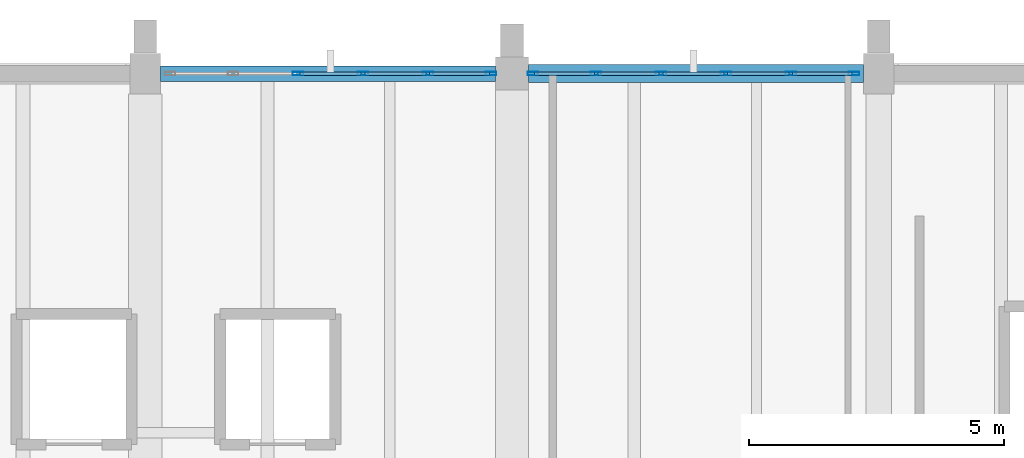
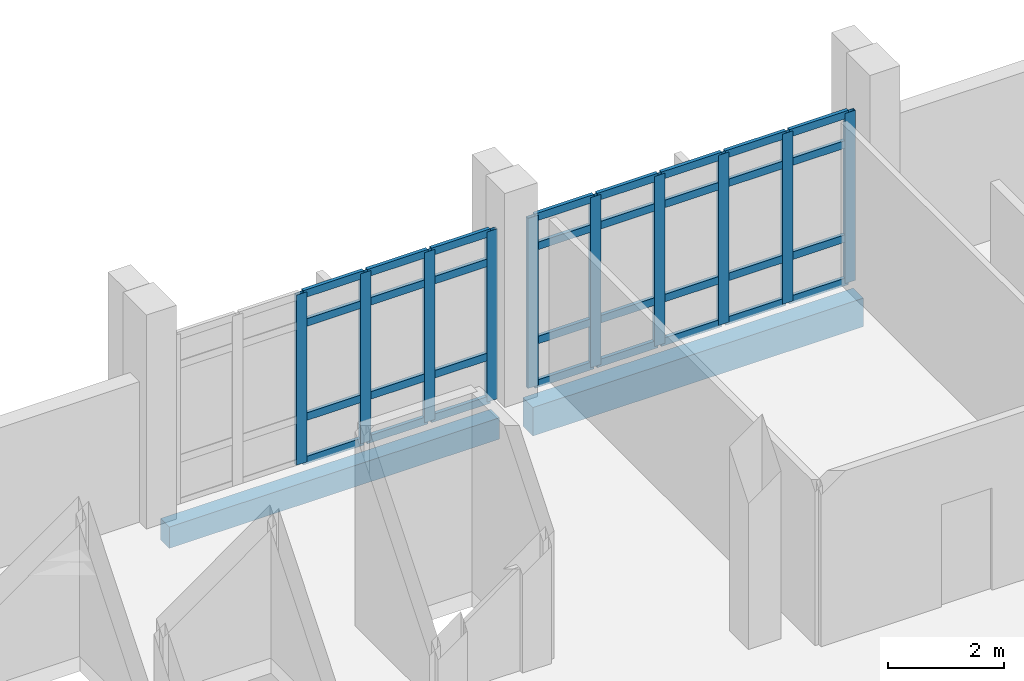
# One storey, part 30 of 57: 42 members, 2 beams, 2 elements without a shape of their own.
"""IFC4 building model written with IfcOpenShell, lengths in metres."""

import ifcopenshell
import ifcopenshell.guid

model = None  # the IFC model being written
_history = None  # IfcOwnerHistory: only IFC2X3 demands one
_inside = {}  # id of a spatial element -> (the spatial element, [elements in it])
_under = {}  # id of a project, library or spatial element -> (it, [spatial elements below it])
_declared = {}  # id of a project -> (the project, [libraries it declares])
_typed = {}  # id of a type object -> (the type object, [elements of that type])
_made_of = {}  # id of a material, layer set ... -> (it, [elements and type objects made of it])


def new_model(schema):
    """Start an empty IFC model of exactly this schema.

    Asked for "IFC4X3", IfcOpenShell would pick the latest addendum, in which some entities
    have other attributes; the version numbers below select the first issue.
    IFC2X3 requires an IfcOwnerHistory on every rooted entity: one is made here for all.
    """
    global model, _history
    if schema == "IFC4X3":
        model = ifcopenshell.file(schema_version=(4, 3, 0, 0))
    else:
        model = ifcopenshell.file(schema=schema)
    _inside.clear()
    _under.clear()
    _declared.clear()
    _typed.clear()
    _made_of.clear()
    _history = None
    if model.schema == "IFC2X3":
        org = make("IfcOrganization", Name="unknown")
        user = make(
            "IfcPersonAndOrganization",
            ThePerson=make("IfcPerson", FamilyName="unknown"),
            TheOrganization=org,
        )
        app = make(
            "IfcApplication",
            ApplicationDeveloper=org,
            Version="unknown",
            ApplicationFullName="unknown",
            ApplicationIdentifier="unknown",
        )
        _history = make(
            "IfcOwnerHistory",
            OwningUser=user,
            OwningApplication=app,
            ChangeAction="ADDED",
            CreationDate=0,
        )
    return model


def make(cls, **values):
    """One entity of the class cls with the attributes given. An attribute that is None is left unset."""
    return model.create_entity(
        cls, **{name: value for name, value in values.items() if value is not None}
    )


def rooted(cls, **values):
    """An entity with a GlobalId (a new one), such as an element, a storey or a relation."""
    return make(cls, GlobalId=ifcopenshell.guid.new(), OwnerHistory=_history, **values)


def si_unit(unit_type, name, prefix=None):
    """IfcSIUnit, for example si_unit("LENGTHUNIT", "METRE", prefix="MILLI")."""
    return make("IfcSIUnit", UnitType=unit_type, Prefix=prefix, Name=name)


def assignment(units):
    """IfcUnitAssignment: the units of a project."""
    return None if units is None else make("IfcUnitAssignment", Units=units)


def point(xyz):
    """IfcCartesianPoint."""
    return None if xyz is None else make("IfcCartesianPoint", Coordinates=xyz)


def direction(xyz):
    """IfcDirection."""
    return None if xyz is None else make("IfcDirection", DirectionRatios=xyz)


def frame(location, z_axis=None, x_axis=None):
    """IfcAxis2Placement3D, a coordinate frame: its origin and axes. An axis left out is left unset."""
    return make(
        "IfcAxis2Placement3D",
        Location=point(location),
        Axis=direction(z_axis),
        RefDirection=direction(x_axis),
    )


def frame_2d(location, x_axis=None):
    """IfcAxis2Placement2D, a coordinate frame in the plane: its origin and x axis."""
    return make(
        "IfcAxis2Placement2D", Location=point(location), RefDirection=direction(x_axis)
    )


def origin():
    """The frame at (0, 0, 0) with its axes left unset."""
    return frame((0.0, 0.0, 0.0))


def origin_2d():
    """The frame at (0, 0) in the plane with its x axis left unset."""
    return frame_2d((0.0, 0.0))


def place(relative_to, where):
    """IfcLocalPlacement: puts the frame where relative to a parent placement (None: the world)."""
    return make(
        "IfcLocalPlacement", PlacementRelTo=relative_to, RelativePlacement=where
    )


def context(
    kind, dimensions, precision=None, world=None, true_north=None, identifier=None
):
    """IfcGeometricRepresentationContext, for example the 3D "Model" context."""
    return make(
        "IfcGeometricRepresentationContext",
        ContextIdentifier=identifier,
        ContextType=kind,
        CoordinateSpaceDimension=dimensions,
        Precision=precision,
        WorldCoordinateSystem=world,
        TrueNorth=true_north,
    )


def subcontext(parent, identifier, kind, view, scale=None):
    """IfcGeometricRepresentationSubContext, for example "Body" below "Model"."""
    return make(
        "IfcGeometricRepresentationSubContext",
        ContextIdentifier=identifier,
        ContextType=kind,
        ParentContext=parent,
        TargetScale=scale,
        TargetView=view,
    )


def project(units=None, contexts=None):
    """IfcProject with its units and contexts."""
    return rooted(
        "IfcProject",
        Name="project",
        RepresentationContexts=contexts,
        UnitsInContext=assignment(units),
    )


def spatial(cls, under=None, at=None, **own):
    """A site, building, storey or space (cls), placed at a placement, below another one or the project."""
    s = rooted(cls, ObjectPlacement=at, **own)
    if under is not None:
        _under.setdefault(under.id(), (under, []))[1].append(s)
    return s


def profile(cls, at=None, kind="AREA", **sizes):
    """A parametric profile (cls). Its sizes go by their IFC names, for example OverallWidth=200.0."""
    return make(cls, ProfileType=kind, Position=at, **sizes)


def rectangle(**sizes):
    """IfcRectangleProfileDef."""
    return profile("IfcRectangleProfileDef", **sizes)


def hollow_rectangle(**sizes):
    """IfcRectangleHollowProfileDef."""
    return profile("IfcRectangleHollowProfileDef", **sizes)


def extrude(swept, where, along, depth):
    """IfcExtrudedAreaSolid: the profile swept, set in the frame where, extruded along a direction by depth."""
    return make(
        "IfcExtrudedAreaSolid",
        SweptArea=swept,
        Position=where,
        ExtrudedDirection=direction(along),
        Depth=depth,
    )


def shape(context_of_items, identifier, shape_type, items):
    """IfcShapeRepresentation: the items that make up one representation, for example the "Body"."""
    return make(
        "IfcShapeRepresentation",
        ContextOfItems=context_of_items,
        RepresentationIdentifier=identifier,
        RepresentationType=shape_type,
        Items=items,
    )


def material(Name=None, Category=None):
    """IfcMaterial."""
    return make("IfcMaterial", Name=Name, Category=Category)


def material_profile(
    of_material, cross_section, Name=None, Category=None, Priority=None
):
    """IfcMaterialProfile: a cross section and its material."""
    return make(
        "IfcMaterialProfile",
        Name=Name,
        Material=of_material,
        Profile=cross_section,
        Priority=Priority,
        Category=Category,
    )


def profile_set(profiles, Name=None, composite=None):
    """IfcMaterialProfileSet."""
    return make(
        "IfcMaterialProfileSet",
        Name=Name,
        MaterialProfiles=profiles,
        CompositeProfile=composite,
    )


def made_of(thing, what):
    """Note that an element or type object is made of a material, layer set ...; save() writes the relation."""
    if what is not None:
        _made_of.setdefault(what.id(), (what, []))[1].append(thing)
    return thing


def type_object(cls, material=None, **own):
    """A type object (cls), such as IfcWallType, which elements share."""
    return made_of(rooted(cls, **own), material)


def element(
    cls,
    number,
    at=None,
    inside=None,
    cuts=None,
    type_object=None,
    material=None,
    context=None,
    identifier="Body",
    shape_type=None,
    held_by="IfcProductDefinitionShape",
    body=None,
    shapes=None,
    **own,
):
    """One element of the class cls, such as IfcWall. Its Tag is "e" and its number.

    at: its placement. inside: the storey or other place that contains it. cuts: it is an
    opening in that element (IfcRelVoidsElement). A single representation is given by context,
    identifier, shape_type and body (its items); several are given by shapes. held_by: the class
    of the entity that holds the representations. save() writes the other relations.
    """
    e = rooted(cls, Tag="e%d" % number, ObjectPlacement=at, **own)
    if body is not None:
        shapes = [shape(context, identifier, shape_type, body)]
    if shapes is not None:
        e.Representation = make(held_by, Representations=shapes)
    if inside is not None:
        _inside.setdefault(inside.id(), (inside, []))[1].append(e)
    if cuts is not None:
        rooted(
            "IfcRelVoidsElement", RelatingBuildingElement=cuts, RelatedOpeningElement=e
        )
    if type_object is not None:
        _typed.setdefault(type_object.id(), (type_object, []))[1].append(e)
    return made_of(e, material)


def aggregate(whole, parts):
    """IfcRelAggregates: a whole, such as a stair, and the parts it consists of."""
    return rooted("IfcRelAggregates", RelatingObject=whole, RelatedObjects=parts)


def save(model, path):
    """Write the relations noted so far, then the file.

    IfcRelAggregates (storeys below a building ...), IfcRelContainedInSpatialStructure (elements
    in a storey), IfcRelDefinesByType, IfcRelAssociatesMaterial and IfcRelDeclares: one each for
    every whole, place, type object, material and project.
    """
    for whole, parts in _under.values():
        aggregate(whole, parts)
    for where, things in _inside.values():
        rooted(
            "IfcRelContainedInSpatialStructure",
            RelatedElements=things,
            RelatingStructure=where,
        )
    for kind, things in _typed.values():
        rooted("IfcRelDefinesByType", RelatedObjects=things, RelatingType=kind)
    for what, things in _made_of.values():
        rooted("IfcRelAssociatesMaterial", RelatedObjects=things, RelatingMaterial=what)
    for by, libraries in _declared.values():
        rooted("IfcRelDeclares", RelatingContext=by, RelatedDefinitions=libraries)
    model.write(path)


model = new_model("IFC4")

# Units and contexts
model_context = context("Model", 3, precision=1e-05, world=origin(), true_north=direction((0.0, 1.0)))
body_context = subcontext(model_context, "Body", "Model", "MODEL_VIEW")
ifc_project = project(units=[si_unit("LENGTHUNIT", "METRE"), si_unit("AREAUNIT", "SQUARE_METRE"), si_unit("VOLUMEUNIT", "CUBIC_METRE"), si_unit("PLANEANGLEUNIT", "RADIAN"), si_unit("MASSUNIT", "GRAM", prefix="KILO")], contexts=[model_context])

# Site, building, storey
site_placement = place(None, origin())
site = spatial("IfcSite", under=ifc_project, at=site_placement, CompositionType="ELEMENT")
building_placement = place(site_placement, origin())
building = spatial("IfcBuilding", under=site, at=building_placement, Name="Kalluvel Institute of Natural Sciences", CompositionType="ELEMENT")
storey_placement = place(building_placement, frame((0.0, 0.0, 23.39990234375)))
storey = spatial("IfcBuildingStorey", under=building, at=storey_placement, Name="L05", CompositionType="ELEMENT", Elevation=23.39990234375)

# Curtain wall, members
ifc_material_1 = material(Name="Aluminium AW-6063 T6", Category="aluminium")
curtain_wall_type = type_object("IfcCurtainWallType", Name="CW-WET-45", PredefinedType="USERDEFINED", material=ifc_material_1)
curtain_wall_1_placement = place(storey_placement, origin())
curtain_wall_1 = element("IfcCurtainWall", 1, at=curtain_wall_1_placement, inside=storey, type_object=curtain_wall_type, Name="L05 Gothic lancet curtain wall CWA-L05-X432-Y1280", ObjectType="UNITISED LANCET FACADE", PredefinedType="USERDEFINED")
ifc_material_profile_1 = material_profile(ifc_material_1, hollow_rectangle(XDim=0.070068359375, YDim=0.2099609375, WallThickness=0.0048828125, at=origin_2d()), Name="CWM 70x210")
ifc_profile_set_1 = profile_set([ifc_material_profile_1], Name="Aluminium AW-6063 T6")
member_type_1 = type_object("IfcMemberType", Name="CWM-70x210", PredefinedType="MULLION", material=ifc_profile_set_1)
member_1_placement = place(storey_placement, frame((45.800048828125, 128.0, 0.0), z_axis=(0.0, 0.0, 1.0), x_axis=(0.0, 1.0, 0.0)))
member_1 = element("IfcMember", 2, at=member_1_placement, type_object=member_type_1, Name="CW-01 mullion 3", PredefinedType="MULLION", context=body_context, shape_type="SweptSolid", body=[
    extrude(hollow_rectangle(XDim=0.070068359375, YDim=0.2099609375, WallThickness=0.0048828125, at=origin_2d()), origin(), (0.0, 0.0, 1.0), 3.580078125),
])
member_2_placement = place(storey_placement, frame((47.074951171875, 128.0, 0.0), z_axis=(0.0, 0.0, 1.0), x_axis=(0.0, 1.0, 0.0)))
member_2 = element("IfcMember", 3, at=member_2_placement, type_object=member_type_1, Name="CW-01 mullion 4", PredefinedType="MULLION", context=body_context, shape_type="SweptSolid", body=[
    extrude(hollow_rectangle(XDim=0.070068359375, YDim=0.2099609375, WallThickness=0.0048828125, at=origin_2d()), origin(), (0.0, 0.0, 1.0), 3.580078125),
])
member_3_placement = place(storey_placement, frame((48.35009765625, 128.0, 0.0), z_axis=(0.0, 0.0, 1.0), x_axis=(0.0, 1.0, 0.0)))
member_3 = element("IfcMember", 4, at=member_3_placement, type_object=member_type_1, Name="CW-01 mullion 5", PredefinedType="MULLION", context=body_context, shape_type="SweptSolid", body=[
    extrude(hollow_rectangle(XDim=0.070068359375, YDim=0.2099609375, WallThickness=0.0048828125, at=origin_2d()), origin(), (0.0, 0.0, 1.0), 3.580078125),
])
member_4_placement = place(storey_placement, frame((49.590087890625, 128.0, 0.0), z_axis=(0.0, 0.0, 1.0), x_axis=(0.0, 1.0, 0.0)))
member_4 = element("IfcMember", 5, at=member_4_placement, type_object=member_type_1, Name="CW-01 mullion 6", PredefinedType="MULLION", context=body_context, shape_type="SweptSolid", body=[
    extrude(hollow_rectangle(XDim=0.070068359375, YDim=0.2099609375, WallThickness=0.0048828125, at=origin_2d()), origin(), (0.0, 0.0, 1.0), 3.580078125),
])

curtain_wall_2_placement = place(storey_placement, origin())
curtain_wall_2 = element("IfcCurtainWall", 6, at=curtain_wall_2_placement, inside=storey, type_object=curtain_wall_type, Name="L05 Gothic lancet curtain wall CWA-L05-X504-Y1280", ObjectType="UNITISED LANCET FACADE", PredefinedType="USERDEFINED")
member_5_placement = place(storey_placement, frame((50.409912109375, 128.0, 0.0), z_axis=(0.0, 0.0, 1.0), x_axis=(0.0, 1.0, 0.0)))
member_5 = element("IfcMember", 7, at=member_5_placement, type_object=member_type_1, Name="CW-01 mullion 1", PredefinedType="MULLION", context=body_context, shape_type="SweptSolid", body=[
    extrude(hollow_rectangle(XDim=0.070068359375, YDim=0.2099609375, WallThickness=0.0048828125, at=origin_2d()), origin(), (0.0, 0.0, 1.0), 3.580078125),
])
member_6_placement = place(storey_placement, frame((51.64990234375, 128.0, 0.0), z_axis=(0.0, 0.0, 1.0), x_axis=(0.0, 1.0, 0.0)))
member_6 = element("IfcMember", 8, at=member_6_placement, type_object=member_type_1, Name="CW-01 mullion 2", PredefinedType="MULLION", context=body_context, shape_type="SweptSolid", body=[
    extrude(hollow_rectangle(XDim=0.070068359375, YDim=0.2099609375, WallThickness=0.0048828125, at=origin_2d()), origin(), (0.0, 0.0, 1.0), 3.580078125),
])
member_7_placement = place(storey_placement, frame((52.925048828125, 128.0, 0.0), z_axis=(0.0, 0.0, 1.0), x_axis=(0.0, 1.0, 0.0)))
member_7 = element("IfcMember", 9, at=member_7_placement, type_object=member_type_1, Name="CW-01 mullion 3", PredefinedType="MULLION", context=body_context, shape_type="SweptSolid", body=[
    extrude(hollow_rectangle(XDim=0.070068359375, YDim=0.2099609375, WallThickness=0.0048828125, at=origin_2d()), origin(), (0.0, 0.0, 1.0), 3.580078125),
])
member_8_placement = place(storey_placement, frame((54.199951171875, 128.0, 0.0), z_axis=(0.0, 0.0, 1.0), x_axis=(0.0, 1.0, 0.0)))
member_8 = element("IfcMember", 10, at=member_8_placement, type_object=member_type_1, Name="CW-01 mullion 4", PredefinedType="MULLION", context=body_context, shape_type="SweptSolid", body=[
    extrude(hollow_rectangle(XDim=0.070068359375, YDim=0.2099609375, WallThickness=0.0048828125, at=origin_2d()), origin(), (0.0, 0.0, 1.0), 3.580078125),
])
member_9_placement = place(storey_placement, frame((55.47509765625, 128.0, 0.0), z_axis=(0.0, 0.0, 1.0), x_axis=(0.0, 1.0, 0.0)))
member_9 = element("IfcMember", 11, at=member_9_placement, type_object=member_type_1, Name="CW-01 mullion 5", PredefinedType="MULLION", context=body_context, shape_type="SweptSolid", body=[
    extrude(hollow_rectangle(XDim=0.070068359375, YDim=0.2099609375, WallThickness=0.0048828125, at=origin_2d()), origin(), (0.0, 0.0, 1.0), 3.580078125),
])
member_10_placement = place(storey_placement, frame((56.715087890625, 128.0, 0.0), z_axis=(0.0, 0.0, 1.0), x_axis=(0.0, 1.0, 0.0)))
member_10 = element("IfcMember", 12, at=member_10_placement, type_object=member_type_1, Name="CW-01 mullion 6", PredefinedType="MULLION", context=body_context, shape_type="SweptSolid", body=[
    extrude(hollow_rectangle(XDim=0.070068359375, YDim=0.2099609375, WallThickness=0.0048828125, at=origin_2d()), origin(), (0.0, 0.0, 1.0), 3.580078125),
])

# Member
ifc_material_profile_2 = material_profile(ifc_material_1, hollow_rectangle(XDim=0.070068359375, YDim=0.159912109375, WallThickness=0.0048828125, at=origin_2d()), Name="CWT 70x160")
ifc_profile_set_2 = profile_set([ifc_material_profile_2], Name="Aluminium AW-6063 T6")
member_type_2 = type_object("IfcMemberType", Name="CWT-70x160", PredefinedType="USERDEFINED", material=ifc_profile_set_2)
member_11_placement = place(storey_placement, frame((45.8349609375, 128.0, 0.03515625), z_axis=(1.0, 0.0, 0.0), x_axis=(0.0, 1.0, 0.0)))
member_11 = element("IfcMember", 13, at=member_11_placement, type_object=member_type_2, Name="CW-01 transom 3.1", ObjectType="TRANSOM", PredefinedType="USERDEFINED", context=body_context, shape_type="SweptSolid", body=[
    extrude(hollow_rectangle(XDim=0.070068359375, YDim=0.159912109375, WallThickness=0.0048828125, at=origin_2d()), origin(), (0.0, 0.0, 1.0), 1.205078125),
])

member_12_placement = place(storey_placement, frame((45.8349609375, 128.0, 0.9501953125), z_axis=(1.0, 0.0, 0.0), x_axis=(0.0, 1.0, 0.0)))
member_12 = element("IfcMember", 14, at=member_12_placement, type_object=member_type_2, Name="CW-01 transom 3.2", ObjectType="TRANSOM", PredefinedType="USERDEFINED", context=body_context, shape_type="SweptSolid", body=[
    extrude(hollow_rectangle(XDim=0.070068359375, YDim=0.159912109375, WallThickness=0.0048828125, at=origin_2d()), origin(), (0.0, 0.0, 1.0), 1.205078125),
])

member_13_placement = place(storey_placement, frame((45.8349609375, 128.0, 2.93017578125), z_axis=(1.0, 0.0, 0.0), x_axis=(0.0, 1.0, 0.0)))
member_13 = element("IfcMember", 15, at=member_13_placement, type_object=member_type_2, Name="CW-01 transom 3.3", ObjectType="TRANSOM", PredefinedType="USERDEFINED", context=body_context, shape_type="SweptSolid", body=[
    extrude(hollow_rectangle(XDim=0.070068359375, YDim=0.159912109375, WallThickness=0.0048828125, at=origin_2d()), origin(), (0.0, 0.0, 1.0), 1.205078125),
])

member_14_placement = place(storey_placement, frame((45.8349609375, 128.0, 3.545166015625), z_axis=(1.0, 0.0, 0.0), x_axis=(0.0, 1.0, 0.0)))
member_14 = element("IfcMember", 16, at=member_14_placement, type_object=member_type_2, Name="CW-01 transom 3.4", ObjectType="TRANSOM", PredefinedType="USERDEFINED", context=body_context, shape_type="SweptSolid", body=[
    extrude(hollow_rectangle(XDim=0.070068359375, YDim=0.159912109375, WallThickness=0.0048828125, at=origin_2d()), origin(), (0.0, 0.0, 1.0), 1.205078125),
])

member_15_placement = place(storey_placement, frame((47.110107421875, 128.0, 0.03515625), z_axis=(1.0, 0.0, 0.0), x_axis=(0.0, 1.0, 0.0)))
member_15 = element("IfcMember", 17, at=member_15_placement, type_object=member_type_2, Name="CW-01 transom 4.1", ObjectType="TRANSOM", PredefinedType="USERDEFINED", context=body_context, shape_type="SweptSolid", body=[
    extrude(hollow_rectangle(XDim=0.070068359375, YDim=0.159912109375, WallThickness=0.0048828125, at=origin_2d()), origin(), (0.0, 0.0, 1.0), 1.204833984375),
])

member_16_placement = place(storey_placement, frame((47.110107421875, 128.0, 0.9501953125), z_axis=(1.0, 0.0, 0.0), x_axis=(0.0, 1.0, 0.0)))
member_16 = element("IfcMember", 18, at=member_16_placement, type_object=member_type_2, Name="CW-01 transom 4.2", ObjectType="TRANSOM", PredefinedType="USERDEFINED", context=body_context, shape_type="SweptSolid", body=[
    extrude(hollow_rectangle(XDim=0.070068359375, YDim=0.159912109375, WallThickness=0.0048828125, at=origin_2d()), origin(), (0.0, 0.0, 1.0), 1.204833984375),
])

member_17_placement = place(storey_placement, frame((47.110107421875, 128.0, 2.93017578125), z_axis=(1.0, 0.0, 0.0), x_axis=(0.0, 1.0, 0.0)))
member_17 = element("IfcMember", 19, at=member_17_placement, type_object=member_type_2, Name="CW-01 transom 4.3", ObjectType="TRANSOM", PredefinedType="USERDEFINED", context=body_context, shape_type="SweptSolid", body=[
    extrude(hollow_rectangle(XDim=0.070068359375, YDim=0.159912109375, WallThickness=0.0048828125, at=origin_2d()), origin(), (0.0, 0.0, 1.0), 1.204833984375),
])

member_18_placement = place(storey_placement, frame((47.110107421875, 128.0, 3.545166015625), z_axis=(1.0, 0.0, 0.0), x_axis=(0.0, 1.0, 0.0)))
member_18 = element("IfcMember", 20, at=member_18_placement, type_object=member_type_2, Name="CW-01 transom 4.4", ObjectType="TRANSOM", PredefinedType="USERDEFINED", context=body_context, shape_type="SweptSolid", body=[
    extrude(hollow_rectangle(XDim=0.070068359375, YDim=0.159912109375, WallThickness=0.0048828125, at=origin_2d()), origin(), (0.0, 0.0, 1.0), 1.204833984375),
])

member_19_placement = place(storey_placement, frame((48.385009765625, 128.0, 0.03515625), z_axis=(1.0, 0.0, 0.0), x_axis=(0.0, 1.0, 0.0)))
member_19 = element("IfcMember", 21, at=member_19_placement, type_object=member_type_2, Name="CW-01 transom 5.1", ObjectType="TRANSOM", PredefinedType="USERDEFINED", context=body_context, shape_type="SweptSolid", body=[
    extrude(hollow_rectangle(XDim=0.070068359375, YDim=0.159912109375, WallThickness=0.0048828125, at=origin_2d()), origin(), (0.0, 0.0, 1.0), 1.169921875),
])

member_20_placement = place(storey_placement, frame((48.385009765625, 128.0, 0.9501953125), z_axis=(1.0, 0.0, 0.0), x_axis=(0.0, 1.0, 0.0)))
member_20 = element("IfcMember", 22, at=member_20_placement, type_object=member_type_2, Name="CW-01 transom 5.2", ObjectType="TRANSOM", PredefinedType="USERDEFINED", context=body_context, shape_type="SweptSolid", body=[
    extrude(hollow_rectangle(XDim=0.070068359375, YDim=0.159912109375, WallThickness=0.0048828125, at=origin_2d()), origin(), (0.0, 0.0, 1.0), 1.169921875),
])

member_21_placement = place(storey_placement, frame((48.385009765625, 128.0, 2.93017578125), z_axis=(1.0, 0.0, 0.0), x_axis=(0.0, 1.0, 0.0)))
member_21 = element("IfcMember", 23, at=member_21_placement, type_object=member_type_2, Name="CW-01 transom 5.3", ObjectType="TRANSOM", PredefinedType="USERDEFINED", context=body_context, shape_type="SweptSolid", body=[
    extrude(hollow_rectangle(XDim=0.070068359375, YDim=0.159912109375, WallThickness=0.0048828125, at=origin_2d()), origin(), (0.0, 0.0, 1.0), 1.169921875),
])

member_22_placement = place(storey_placement, frame((48.385009765625, 128.0, 3.545166015625), z_axis=(1.0, 0.0, 0.0), x_axis=(0.0, 1.0, 0.0)))
member_22 = element("IfcMember", 24, at=member_22_placement, type_object=member_type_2, Name="CW-01 transom 5.4", ObjectType="TRANSOM", PredefinedType="USERDEFINED", context=body_context, shape_type="SweptSolid", body=[
    extrude(hollow_rectangle(XDim=0.070068359375, YDim=0.159912109375, WallThickness=0.0048828125, at=origin_2d()), origin(), (0.0, 0.0, 1.0), 1.169921875),
])

aggregate(curtain_wall_1, [member_1, member_2, member_3, member_4, member_11, member_12, member_13, member_14, member_15, member_16, member_17, member_18, member_19, member_20, member_21, member_22])

member_23_placement = place(storey_placement, frame((50.445068359375, 128.0, 0.03515625), z_axis=(1.0, 0.0, 0.0), x_axis=(0.0, 1.0, 0.0)))
member_23 = element("IfcMember", 25, at=member_23_placement, type_object=member_type_2, Name="CW-01 transom 1.1", ObjectType="TRANSOM", PredefinedType="USERDEFINED", context=body_context, shape_type="SweptSolid", body=[
    extrude(hollow_rectangle(XDim=0.070068359375, YDim=0.159912109375, WallThickness=0.0048828125, at=origin_2d()), origin(), (0.0, 0.0, 1.0), 1.169921875),
])

member_24_placement = place(storey_placement, frame((50.445068359375, 128.0, 0.9501953125), z_axis=(1.0, 0.0, 0.0), x_axis=(0.0, 1.0, 0.0)))
member_24 = element("IfcMember", 26, at=member_24_placement, type_object=member_type_2, Name="CW-01 transom 1.2", ObjectType="TRANSOM", PredefinedType="USERDEFINED", context=body_context, shape_type="SweptSolid", body=[
    extrude(hollow_rectangle(XDim=0.070068359375, YDim=0.159912109375, WallThickness=0.0048828125, at=origin_2d()), origin(), (0.0, 0.0, 1.0), 1.169921875),
])

member_25_placement = place(storey_placement, frame((50.445068359375, 128.0, 2.93017578125), z_axis=(1.0, 0.0, 0.0), x_axis=(0.0, 1.0, 0.0)))
member_25 = element("IfcMember", 27, at=member_25_placement, type_object=member_type_2, Name="CW-01 transom 1.3", ObjectType="TRANSOM", PredefinedType="USERDEFINED", context=body_context, shape_type="SweptSolid", body=[
    extrude(hollow_rectangle(XDim=0.070068359375, YDim=0.159912109375, WallThickness=0.0048828125, at=origin_2d()), origin(), (0.0, 0.0, 1.0), 1.169921875),
])

member_26_placement = place(storey_placement, frame((50.445068359375, 128.0, 3.545166015625), z_axis=(1.0, 0.0, 0.0), x_axis=(0.0, 1.0, 0.0)))
member_26 = element("IfcMember", 28, at=member_26_placement, type_object=member_type_2, Name="CW-01 transom 1.4", ObjectType="TRANSOM", PredefinedType="USERDEFINED", context=body_context, shape_type="SweptSolid", body=[
    extrude(hollow_rectangle(XDim=0.070068359375, YDim=0.159912109375, WallThickness=0.0048828125, at=origin_2d()), origin(), (0.0, 0.0, 1.0), 1.169921875),
])

member_27_placement = place(storey_placement, frame((51.68505859375, 128.0, 0.03515625), z_axis=(1.0, 0.0, 0.0), x_axis=(0.0, 1.0, 0.0)))
member_27 = element("IfcMember", 29, at=member_27_placement, type_object=member_type_2, Name="CW-01 transom 2.1", ObjectType="TRANSOM", PredefinedType="USERDEFINED", context=body_context, shape_type="SweptSolid", body=[
    extrude(hollow_rectangle(XDim=0.070068359375, YDim=0.159912109375, WallThickness=0.0048828125, at=origin_2d()), origin(), (0.0, 0.0, 1.0), 1.204833984375),
])

member_28_placement = place(storey_placement, frame((51.68505859375, 128.0, 0.9501953125), z_axis=(1.0, 0.0, 0.0), x_axis=(0.0, 1.0, 0.0)))
member_28 = element("IfcMember", 30, at=member_28_placement, type_object=member_type_2, Name="CW-01 transom 2.2", ObjectType="TRANSOM", PredefinedType="USERDEFINED", context=body_context, shape_type="SweptSolid", body=[
    extrude(hollow_rectangle(XDim=0.070068359375, YDim=0.159912109375, WallThickness=0.0048828125, at=origin_2d()), origin(), (0.0, 0.0, 1.0), 1.204833984375),
])

member_29_placement = place(storey_placement, frame((51.68505859375, 128.0, 2.93017578125), z_axis=(1.0, 0.0, 0.0), x_axis=(0.0, 1.0, 0.0)))
member_29 = element("IfcMember", 31, at=member_29_placement, type_object=member_type_2, Name="CW-01 transom 2.3", ObjectType="TRANSOM", PredefinedType="USERDEFINED", context=body_context, shape_type="SweptSolid", body=[
    extrude(hollow_rectangle(XDim=0.070068359375, YDim=0.159912109375, WallThickness=0.0048828125, at=origin_2d()), origin(), (0.0, 0.0, 1.0), 1.204833984375),
])

member_30_placement = place(storey_placement, frame((51.68505859375, 128.0, 3.545166015625), z_axis=(1.0, 0.0, 0.0), x_axis=(0.0, 1.0, 0.0)))
member_30 = element("IfcMember", 32, at=member_30_placement, type_object=member_type_2, Name="CW-01 transom 2.4", ObjectType="TRANSOM", PredefinedType="USERDEFINED", context=body_context, shape_type="SweptSolid", body=[
    extrude(hollow_rectangle(XDim=0.070068359375, YDim=0.159912109375, WallThickness=0.0048828125, at=origin_2d()), origin(), (0.0, 0.0, 1.0), 1.204833984375),
])

member_31_placement = place(storey_placement, frame((52.9599609375, 128.0, 0.03515625), z_axis=(1.0, 0.0, 0.0), x_axis=(0.0, 1.0, 0.0)))
member_31 = element("IfcMember", 33, at=member_31_placement, type_object=member_type_2, Name="CW-01 transom 3.1", ObjectType="TRANSOM", PredefinedType="USERDEFINED", context=body_context, shape_type="SweptSolid", body=[
    extrude(hollow_rectangle(XDim=0.070068359375, YDim=0.159912109375, WallThickness=0.0048828125, at=origin_2d()), origin(), (0.0, 0.0, 1.0), 1.205078125),
])

member_32_placement = place(storey_placement, frame((52.9599609375, 128.0, 0.9501953125), z_axis=(1.0, 0.0, 0.0), x_axis=(0.0, 1.0, 0.0)))
member_32 = element("IfcMember", 34, at=member_32_placement, type_object=member_type_2, Name="CW-01 transom 3.2", ObjectType="TRANSOM", PredefinedType="USERDEFINED", context=body_context, shape_type="SweptSolid", body=[
    extrude(hollow_rectangle(XDim=0.070068359375, YDim=0.159912109375, WallThickness=0.0048828125, at=origin_2d()), origin(), (0.0, 0.0, 1.0), 1.205078125),
])

member_33_placement = place(storey_placement, frame((52.9599609375, 128.0, 2.93017578125), z_axis=(1.0, 0.0, 0.0), x_axis=(0.0, 1.0, 0.0)))
member_33 = element("IfcMember", 35, at=member_33_placement, type_object=member_type_2, Name="CW-01 transom 3.3", ObjectType="TRANSOM", PredefinedType="USERDEFINED", context=body_context, shape_type="SweptSolid", body=[
    extrude(hollow_rectangle(XDim=0.070068359375, YDim=0.159912109375, WallThickness=0.0048828125, at=origin_2d()), origin(), (0.0, 0.0, 1.0), 1.205078125),
])

member_34_placement = place(storey_placement, frame((52.9599609375, 128.0, 3.545166015625), z_axis=(1.0, 0.0, 0.0), x_axis=(0.0, 1.0, 0.0)))
member_34 = element("IfcMember", 36, at=member_34_placement, type_object=member_type_2, Name="CW-01 transom 3.4", ObjectType="TRANSOM", PredefinedType="USERDEFINED", context=body_context, shape_type="SweptSolid", body=[
    extrude(hollow_rectangle(XDim=0.070068359375, YDim=0.159912109375, WallThickness=0.0048828125, at=origin_2d()), origin(), (0.0, 0.0, 1.0), 1.205078125),
])

member_35_placement = place(storey_placement, frame((54.235107421875, 128.0, 0.03515625), z_axis=(1.0, 0.0, 0.0), x_axis=(0.0, 1.0, 0.0)))
member_35 = element("IfcMember", 37, at=member_35_placement, type_object=member_type_2, Name="CW-01 transom 4.1", ObjectType="TRANSOM", PredefinedType="USERDEFINED", context=body_context, shape_type="SweptSolid", body=[
    extrude(hollow_rectangle(XDim=0.070068359375, YDim=0.159912109375, WallThickness=0.0048828125, at=origin_2d()), origin(), (0.0, 0.0, 1.0), 1.204833984375),
])

member_36_placement = place(storey_placement, frame((54.235107421875, 128.0, 0.9501953125), z_axis=(1.0, 0.0, 0.0), x_axis=(0.0, 1.0, 0.0)))
member_36 = element("IfcMember", 38, at=member_36_placement, type_object=member_type_2, Name="CW-01 transom 4.2", ObjectType="TRANSOM", PredefinedType="USERDEFINED", context=body_context, shape_type="SweptSolid", body=[
    extrude(hollow_rectangle(XDim=0.070068359375, YDim=0.159912109375, WallThickness=0.0048828125, at=origin_2d()), origin(), (0.0, 0.0, 1.0), 1.204833984375),
])

member_37_placement = place(storey_placement, frame((54.235107421875, 128.0, 2.93017578125), z_axis=(1.0, 0.0, 0.0), x_axis=(0.0, 1.0, 0.0)))
member_37 = element("IfcMember", 39, at=member_37_placement, type_object=member_type_2, Name="CW-01 transom 4.3", ObjectType="TRANSOM", PredefinedType="USERDEFINED", context=body_context, shape_type="SweptSolid", body=[
    extrude(hollow_rectangle(XDim=0.070068359375, YDim=0.159912109375, WallThickness=0.0048828125, at=origin_2d()), origin(), (0.0, 0.0, 1.0), 1.204833984375),
])

member_38_placement = place(storey_placement, frame((54.235107421875, 128.0, 3.545166015625), z_axis=(1.0, 0.0, 0.0), x_axis=(0.0, 1.0, 0.0)))
member_38 = element("IfcMember", 40, at=member_38_placement, type_object=member_type_2, Name="CW-01 transom 4.4", ObjectType="TRANSOM", PredefinedType="USERDEFINED", context=body_context, shape_type="SweptSolid", body=[
    extrude(hollow_rectangle(XDim=0.070068359375, YDim=0.159912109375, WallThickness=0.0048828125, at=origin_2d()), origin(), (0.0, 0.0, 1.0), 1.204833984375),
])

member_39_placement = place(storey_placement, frame((55.510009765625, 128.0, 0.03515625), z_axis=(1.0, 0.0, 0.0), x_axis=(0.0, 1.0, 0.0)))
member_39 = element("IfcMember", 41, at=member_39_placement, type_object=member_type_2, Name="CW-01 transom 5.1", ObjectType="TRANSOM", PredefinedType="USERDEFINED", context=body_context, shape_type="SweptSolid", body=[
    extrude(hollow_rectangle(XDim=0.070068359375, YDim=0.159912109375, WallThickness=0.0048828125, at=origin_2d()), origin(), (0.0, 0.0, 1.0), 1.169921875),
])

member_40_placement = place(storey_placement, frame((55.510009765625, 128.0, 0.9501953125), z_axis=(1.0, 0.0, 0.0), x_axis=(0.0, 1.0, 0.0)))
member_40 = element("IfcMember", 42, at=member_40_placement, type_object=member_type_2, Name="CW-01 transom 5.2", ObjectType="TRANSOM", PredefinedType="USERDEFINED", context=body_context, shape_type="SweptSolid", body=[
    extrude(hollow_rectangle(XDim=0.070068359375, YDim=0.159912109375, WallThickness=0.0048828125, at=origin_2d()), origin(), (0.0, 0.0, 1.0), 1.169921875),
])

member_41_placement = place(storey_placement, frame((55.510009765625, 128.0, 2.93017578125), z_axis=(1.0, 0.0, 0.0), x_axis=(0.0, 1.0, 0.0)))
member_41 = element("IfcMember", 43, at=member_41_placement, type_object=member_type_2, Name="CW-01 transom 5.3", ObjectType="TRANSOM", PredefinedType="USERDEFINED", context=body_context, shape_type="SweptSolid", body=[
    extrude(hollow_rectangle(XDim=0.070068359375, YDim=0.159912109375, WallThickness=0.0048828125, at=origin_2d()), origin(), (0.0, 0.0, 1.0), 1.169921875),
])

member_42_placement = place(storey_placement, frame((55.510009765625, 128.0, 3.545166015625), z_axis=(1.0, 0.0, 0.0), x_axis=(0.0, 1.0, 0.0)))
member_42 = element("IfcMember", 44, at=member_42_placement, type_object=member_type_2, Name="CW-01 transom 5.4", ObjectType="TRANSOM", PredefinedType="USERDEFINED", context=body_context, shape_type="SweptSolid", body=[
    extrude(hollow_rectangle(XDim=0.070068359375, YDim=0.159912109375, WallThickness=0.0048828125, at=origin_2d()), origin(), (0.0, 0.0, 1.0), 1.169921875),
])

aggregate(curtain_wall_2, [member_5, member_6, member_7, member_8, member_9, member_10, member_23, member_24, member_25, member_26, member_27, member_28, member_29, member_30, member_31, member_32, member_33, member_34, member_35, member_36, member_37, member_38, member_39, member_40, member_41, member_42])

# Beams
ifc_material_2 = material(Name="Concrete M40", Category="concrete")
ifc_material_profile_3 = material_profile(ifc_material_2, rectangle(XDim=0.300048828125, YDim=0.449951171875, at=origin_2d()), Name="RCB 300x450")
ifc_profile_set_3 = profile_set([ifc_material_profile_3], Name="Concrete M40")
beam_type_1 = type_object("IfcBeamType", Name="SP-RC300x450", PredefinedType="SPANDREL", material=ifc_profile_set_3)
beam_1_placement = place(storey_placement, frame((43.10009765625, 128.0, -0.544921875), z_axis=(1.0, 0.0, 0.0), x_axis=(0.0, 1.0, 0.0)))
element("IfcBeam", 45, at=beam_1_placement, inside=storey, type_object=beam_type_1, Name="L05 girder GIR-L05-EW-X428-Y1280", PredefinedType="SPANDREL", context=body_context, shape_type="SweptSolid", body=[
    extrude(rectangle(XDim=0.300048828125, YDim=0.449951171875, at=origin_2d()), origin(), (0.0, 0.0, 1.0), 6.574951171875),
])
ifc_material_profile_4 = material_profile(ifc_material_2, rectangle(XDim=0.35009765625, YDim=0.60009765625, at=origin_2d()), Name="RCB 350x600")
ifc_profile_set_4 = profile_set([ifc_material_profile_4], Name="Concrete M40")
beam_type_2 = type_object("IfcBeamType", Name="SP-RC350x600", PredefinedType="SPANDREL", material=ifc_profile_set_4)
beam_2_placement = place(storey_placement, frame((50.324951171875, 128.0, -0.619873046875), z_axis=(1.0, 0.0, 0.0), x_axis=(0.0, 1.0, 0.0)))
element("IfcBeam", 46, at=beam_2_placement, inside=storey, type_object=beam_type_2, Name="L05 girder GIR-L05-EW-X500-Y1280", PredefinedType="SPANDREL", context=body_context, shape_type="SweptSolid", body=[
    extrude(rectangle(XDim=0.35009765625, YDim=0.60009765625, at=origin_2d()), origin(), (0.0, 0.0, 1.0), 6.574951171875),
])

save(model, "model.ifc")
